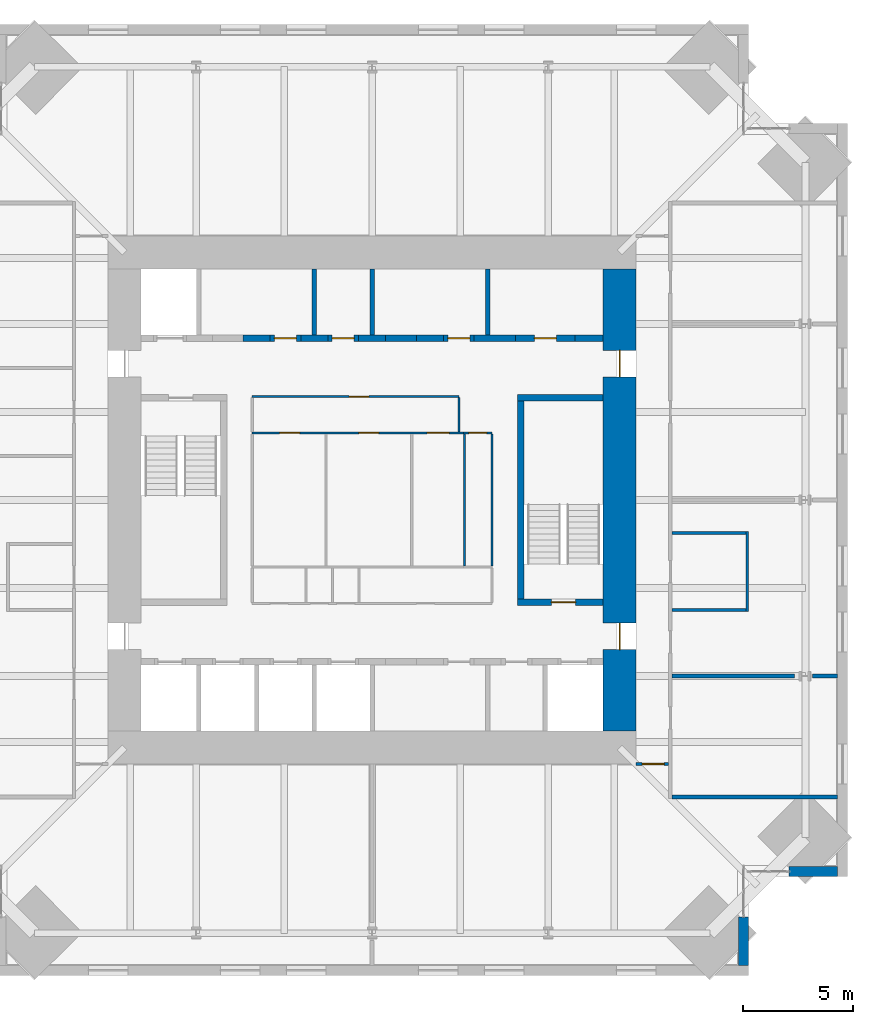
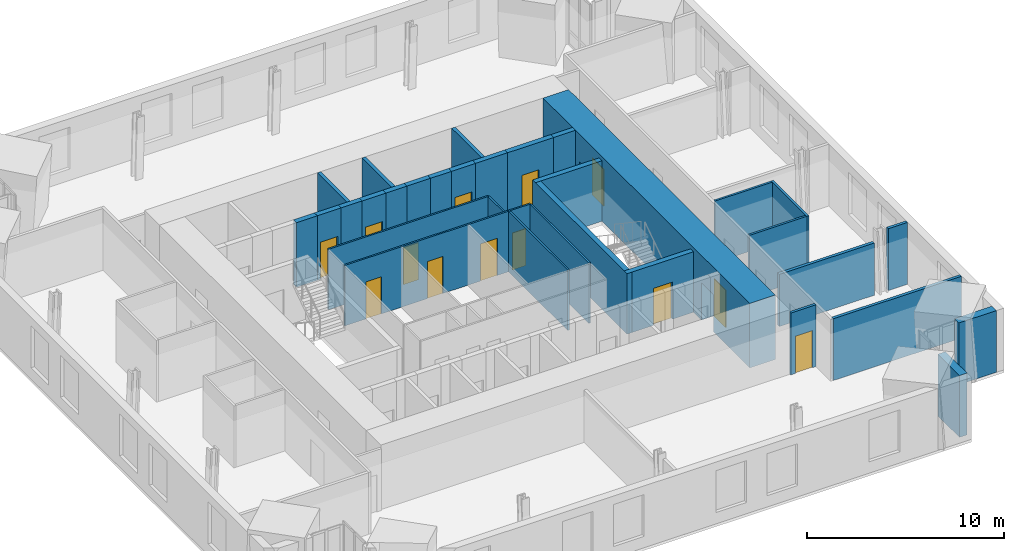
# One storey, part 13 of 16: 33 walls, 13 doors, 13 openings.
"""IFC4 building model written with IfcOpenShell, lengths in metres."""

from ifc_helpers import new_model, si_unit, direction, frame, frame_2d, origin, place, context, subcontext, project, spatial, rectangle, extrude, material, layer, layer_set, type_object, element, fill, save


model = new_model("IFC4")

# Units and contexts
model_context = context("Model", 3, precision=1e-05, world=origin(), true_north=direction((0.0, 1.0)))
body_context = subcontext(model_context, "Body", "Model", "MODEL_VIEW")
ifc_project = project(units=[si_unit("LENGTHUNIT", "METRE"), si_unit("AREAUNIT", "SQUARE_METRE"), si_unit("VOLUMEUNIT", "CUBIC_METRE"), si_unit("PLANEANGLEUNIT", "RADIAN"), si_unit("MASSUNIT", "GRAM", prefix="KILO")], contexts=[model_context])

# Site, building, storey
site_placement = place(None, origin())
site = spatial("IfcSite", under=ifc_project, at=site_placement, CompositionType="ELEMENT")
building_placement = place(site_placement, origin())
building = spatial("IfcBuilding", under=site, at=building_placement, Name="Peilmerk Tower", CompositionType="ELEMENT")
storey_placement = place(building_placement, frame((0.0, 0.0, 277.800048828125)))
storey = spatial("IfcBuildingStorey", under=building, at=storey_placement, Name="L62", CompositionType="ELEMENT", Elevation=277.800048828125)

# Walls
ifc_material_1 = material(Name="Precast concrete C45/55, board-marked finish", Category="concrete")
ifc_layer_1 = layer(ifc_material_1, 0.449951171875)
ifc_layer_set_1 = layer_set([ifc_layer_1], Name="Precast concrete C45/55, board-marked finish")
wall_type_1 = type_object("IfcWallType", Name="EW1 450 precast concrete facade wall, board-marked", PredefinedType="SOLIDWALL", material=ifc_layer_set_1)
for number, where, z_axis, x_axis, name in (
    (1, (16.875, -18.95361328125, 0.0), (0.0, 0.0, 1.0), (0.0, -1.0, 0.0), "Facade wall SEA L62"),
    (2, (18.95361328125, -16.875, 0.0), (0.0, 0.0, 1.0), (1.0, 0.0, 0.0), "Facade wall SEB L62"),
):
    element("IfcWall", number, at=place(storey_placement, frame(where, z_axis=z_axis, x_axis=x_axis)), inside=storey, type_object=wall_type_1, Name=name, PredefinedType="SOLIDWALL", context=body_context, shape_type="SweptSolid", body=[
        extrude(rectangle(XDim=2.1962890625, YDim=0.449951171875, at=frame_2d((1.09814453125, 0.0))), origin(), (0.0, 0.0, 1.0), 3.829833984375),
    ])

# Wall, opening, door
ifc_material_2 = material(Name="Calcium silicate block", Category="masonry")
ifc_layer_2 = layer(ifc_material_2, 0.14990234375)
ifc_layer_set_2 = layer_set([ifc_layer_2], Name="Calcium silicate block")
wall_type_2 = type_object("IfcWallType", Name="IW1 150 corridor partition, EI 60", PredefinedType="PARTITIONING", material=ifc_layer_set_2)
wall_1_placement = place(storey_placement, frame((13.47509765625, -12.0, 0.0), z_axis=(0.0, 0.0, 1.0), x_axis=(-1.0, 0.0, 0.0)))
wall_1 = element("IfcWall", 3, at=wall_1_placement, inside=storey, type_object=wall_type_2, Name="Corridor wall SE L62", PredefinedType="PARTITIONING", context=body_context, shape_type="SweptSolid", body=[
    extrude(rectangle(XDim=1.47509765625, YDim=0.14990234375, at=frame_2d((0.737548828125, 0.0))), origin(), (0.0, 0.0, 1.0), 3.829833984375),
])
opening_1_placement = place(wall_1_placement, frame((0.199951171875, 0.0, 0.0)))
opening_1 = element("IfcOpeningElement", 4, at=opening_1_placement, cuts=wall_1, Name="Opening D1", PredefinedType="OPENING", context=body_context, shape_type="SweptSolid", body=[
    extrude(rectangle(XDim=1.0, YDim=2.300048828125, at=frame_2d((0.5, 1.14990234375))), frame((0.0, 0.0849609375, 0.0), z_axis=(0.0, -1.0, 0.0), x_axis=(1.0, 0.0, 0.0)), (0.0, 0.0, 1.0), 0.169921875),
])
ifc_material_3 = material(Name="Timber door in steel frame", Category="steel")
door_type_1 = type_object("IfcDoorType", Name="D1 1000x2300 room door, EI2 30", OperationType="SINGLE_SWING_LEFT", PredefinedType="DOOR", material=ifc_material_3)
door_1_placement = place(opening_1_placement, origin())
door_1 = element("IfcDoor", 5, at=door_1_placement, inside=storey, type_object=door_type_1, Name="Door Client suite L62", OperationType="SINGLE_SWING_LEFT", OverallHeight=2.300048828125, OverallWidth=1.0, PredefinedType="DOOR", context=body_context, shape_type="SweptSolid", body=[
    extrude(rectangle(XDim=1.0, YDim=2.300048828125, at=frame_2d((0.5, 1.14990234375))), frame((0.0, 0.02490234375, 0.0), z_axis=(0.0, -1.0, 0.0), x_axis=(1.0, 0.0, 0.0)), (0.0, 0.0, 1.0), 0.050048828125),
])
fill(opening_1, door_1)

# Walls
ifc_material_4 = material(Name="Concrete C35/45", Category="concrete")
ifc_layer_3 = layer(ifc_material_4, 0.300048828125)
ifc_layer_set_3 = layer_set([ifc_layer_3], Name="Concrete C35/45")
wall_type_3 = type_object("IfcWallType", Name="IW3 300 concrete stair enclosure wall, EI 120", PredefinedType="SOLIDWALL", material=ifc_layer_set_3)
wall_2_placement = place(storey_placement, frame((6.75, -4.800048828125, 0.0), z_axis=(0.0, 0.0, 1.0), x_axis=(0.0, 1.0, 0.0)))
element("IfcWall", 6, at=wall_2_placement, inside=storey, type_object=wall_type_3, Name="Stair 2 enclosure L62", PredefinedType="SOLIDWALL", context=body_context, shape_type="SweptSolid", body=[
    extrude(rectangle(XDim=9.60009765625, YDim=0.300048828125, at=frame_2d((4.800048828125, 0.0))), origin(), (0.0, 0.0, 1.0), 3.75),
])
wall_3_placement = place(storey_placement, frame((6.60009765625, 4.64990234375, 0.0), z_axis=(0.0, 0.0, 1.0), x_axis=(1.0, 0.0, 0.0)))
element("IfcWall", 7, at=wall_3_placement, inside=storey, type_object=wall_type_3, Name="Stair 2 enclosure L62", PredefinedType="SOLIDWALL", context=body_context, shape_type="SweptSolid", body=[
    extrude(rectangle(XDim=3.89990234375, YDim=0.300048828125, at=frame_2d((1.949951171875, 0.0))), origin(), (0.0, 0.0, 1.0), 3.75),
])

# Wall, opening, door
wall_4_placement = place(storey_placement, frame((10.5, -4.64990234375, 0.0), z_axis=(0.0, 0.0, 1.0), x_axis=(-1.0, 0.0, 0.0)))
wall_4 = element("IfcWall", 8, at=wall_4_placement, inside=storey, type_object=wall_type_3, Name="Stair 2 enclosure L62", PredefinedType="SOLIDWALL", context=body_context, shape_type="SweptSolid", body=[
    extrude(rectangle(XDim=3.89990234375, YDim=0.300048828125, at=frame_2d((1.949951171875, 0.0))), origin(), (0.0, 0.0, 1.0), 3.75),
])
opening_2_placement = place(wall_4_placement, frame((1.25, 0.0, 0.0)))
opening_2 = element("IfcOpeningElement", 9, at=opening_2_placement, cuts=wall_4, Name="Opening D4", PredefinedType="OPENING", context=body_context, shape_type="SweptSolid", body=[
    extrude(rectangle(XDim=1.10009765625, YDim=2.300048828125, at=frame_2d((0.550048828125, 1.14990234375))), frame((0.0, 0.159912109375, 0.0), z_axis=(0.0, -1.0, 0.0), x_axis=(1.0, 0.0, 0.0)), (0.0, 0.0, 1.0), 0.320068359375),
])
ifc_material_5 = material(Name="Steel door in steel frame", Category="steel")
door_type_2 = type_object("IfcDoorType", Name="D4 1100x2300 stair door, EI2 60", OperationType="SINGLE_SWING_RIGHT", PredefinedType="DOOR", material=ifc_material_5)
door_2_placement = place(opening_2_placement, frame((1.10009765625, 0.0, 0.0), z_axis=(0.0, 0.0, 1.0), x_axis=(-1.0, 0.0, 0.0)))
door_2 = element("IfcDoor", 10, at=door_2_placement, inside=storey, type_object=door_type_2, Name="Stair 2 door L62", OperationType="SINGLE_SWING_RIGHT", OverallHeight=2.300048828125, OverallWidth=1.10009765625, PredefinedType="DOOR", context=body_context, shape_type="SweptSolid", body=[
    extrude(rectangle(XDim=1.10009765625, YDim=2.300048828125, at=frame_2d((0.550048828125, 1.14990234375))), frame((0.0, 0.02490234375, 0.0), z_axis=(0.0, -1.0, 0.0), x_axis=(1.0, 0.0, 0.0)), (0.0, 0.0, 1.0), 0.050048828125),
])
fill(opening_2, door_2)

# Wall, openings, doors
ifc_material_6 = material(Name="Plasterboard on steel studs", Category="steel")
ifc_layer_4 = layer(ifc_material_6, 0.10009765625)
ifc_layer_set_4 = layer_set([ifc_layer_4], Name="Plasterboard on steel studs")
wall_type_4 = type_object("IfcWallType", Name="IW4 100 WC partition", PredefinedType="PARTITIONING", material=ifc_layer_set_4)
wall_5_placement = place(storey_placement, frame((-5.449951171875, 3.050048828125, 0.0), z_axis=(0.0, 0.0, 1.0), x_axis=(1.0, 0.0, 0.0)))
wall_5 = element("IfcWall", 11, at=wall_5_placement, inside=storey, type_object=wall_type_4, Name="WC wall L62", PredefinedType="PARTITIONING", context=body_context, shape_type="SweptSolid", body=[
    extrude(rectangle(XDim=9.599853515625, YDim=0.10009765625, at=frame_2d((4.7998046875, 0.0))), origin(), (0.0, 0.0, 1.0), 3.75),
])
opening_3_placement = place(wall_5_placement, frame((1.25, 0.0, 0.0)))
opening_3 = element("IfcOpeningElement", 12, at=opening_3_placement, cuts=wall_5, Name="Opening D5", PredefinedType="OPENING", context=body_context, shape_type="SweptSolid", body=[
    extrude(rectangle(XDim=0.89990234375, YDim=2.300048828125, at=frame_2d((0.449951171875, 1.14990234375))), frame((0.0, 0.06005859375, 0.0), z_axis=(0.0, -1.0, 0.0), x_axis=(1.0, 0.0, 0.0)), (0.0, 0.0, 1.0), 0.1201171875),
])
opening_4_placement = place(wall_5_placement, frame((4.85009765625, 0.0, 0.0)))
opening_4 = element("IfcOpeningElement", 13, at=opening_4_placement, cuts=wall_5, Name="Opening D5", PredefinedType="OPENING", context=body_context, shape_type="SweptSolid", body=[
    extrude(rectangle(XDim=0.89990234375, YDim=2.300048828125, at=frame_2d((0.449951171875, 1.14990234375))), frame((0.0, 0.06005859375, 0.0), z_axis=(0.0, -1.0, 0.0), x_axis=(1.0, 0.0, 0.0)), (0.0, 0.0, 1.0), 0.1201171875),
])
opening_5_placement = place(wall_5_placement, frame((7.949951171875, 0.0, 0.0)))
opening_5 = element("IfcOpeningElement", 14, at=opening_5_placement, cuts=wall_5, Name="Opening D6", PredefinedType="OPENING", context=body_context, shape_type="SweptSolid", body=[
    extrude(rectangle(XDim=1.0, YDim=2.300048828125, at=frame_2d((0.5, 1.14990234375))), frame((0.0, 0.06005859375, 0.0), z_axis=(0.0, -1.0, 0.0), x_axis=(1.0, 0.0, 0.0)), (0.0, 0.0, 1.0), 0.1201171875),
])
door_type_3 = type_object("IfcDoorType", Name="D5 900x2300 WC door", OperationType="SINGLE_SWING_LEFT", PredefinedType="DOOR", material=ifc_material_3)
door_3_placement = place(opening_3_placement, frame((0.89990234375, 0.0, 0.0), z_axis=(0.0, 0.0, 1.0), x_axis=(-1.0, 0.0, 0.0)))
door_3 = element("IfcDoor", 15, at=door_3_placement, inside=storey, type_object=door_type_3, Name="Female toilets door L62", OperationType="SINGLE_SWING_LEFT", OverallHeight=2.300048828125, OverallWidth=0.89990234375, PredefinedType="DOOR", context=body_context, shape_type="SweptSolid", body=[
    extrude(rectangle(XDim=0.89990234375, YDim=2.300048828125, at=frame_2d((0.449951171875, 1.14990234375))), frame((0.0, 0.02490234375, 0.0), z_axis=(0.0, -1.0, 0.0), x_axis=(1.0, 0.0, 0.0)), (0.0, 0.0, 1.0), 0.050048828125),
])
fill(opening_3, door_3)
door_4_placement = place(opening_4_placement, frame((0.89990234375, 0.0, 0.0), z_axis=(0.0, 0.0, 1.0), x_axis=(-1.0, 0.0, 0.0)))
door_4 = element("IfcDoor", 16, at=door_4_placement, inside=storey, type_object=door_type_3, Name="Male toilets door L62", OperationType="SINGLE_SWING_LEFT", OverallHeight=2.300048828125, OverallWidth=0.89990234375, PredefinedType="DOOR", context=body_context, shape_type="SweptSolid", body=[
    extrude(rectangle(XDim=0.89990234375, YDim=2.300048828125, at=frame_2d((0.449951171875, 1.14990234375))), frame((0.0, 0.02490234375, 0.0), z_axis=(0.0, -1.0, 0.0), x_axis=(1.0, 0.0, 0.0)), (0.0, 0.0, 1.0), 0.050048828125),
])
fill(opening_4, door_4)
door_type_4 = type_object("IfcDoorType", Name="D6 1000x2300 accessible WC door", OperationType="SLIDING_TO_LEFT", PredefinedType="DOOR", material=ifc_material_3)
door_5_placement = place(opening_5_placement, frame((1.0, 0.0, 0.0), z_axis=(0.0, 0.0, 1.0), x_axis=(-1.0, 0.0, 0.0)))
door_5 = element("IfcDoor", 17, at=door_5_placement, inside=storey, type_object=door_type_4, Name="Accessible WC door L62", OperationType="SLIDING_TO_LEFT", OverallHeight=2.300048828125, OverallWidth=1.0, PredefinedType="DOOR", context=body_context, shape_type="SweptSolid", body=[
    extrude(rectangle(XDim=1.0, YDim=2.300048828125, at=frame_2d((0.5, 1.14990234375))), frame((0.0, 0.02490234375, 0.0), z_axis=(0.0, -1.0, 0.0), x_axis=(1.0, 0.0, 0.0)), (0.0, 0.0, 1.0), 0.050048828125),
])
fill(opening_5, door_5)

# Wall, opening, door
ifc_material_7 = material(Name="Calcium silicate board on steel studs", Category="steel")
ifc_layer_5 = layer(ifc_material_7, 0.10009765625)
ifc_layer_set_5 = layer_set([ifc_layer_5], Name="Calcium silicate board on steel studs")
wall_type_5 = type_object("IfcWallType", Name="IW5 100 riser enclosure wall, EI 60", PredefinedType="PARTITIONING", material=ifc_layer_set_5)
wall_6_placement = place(storey_placement, frame((4.14990234375, 3.050048828125, 0.0), z_axis=(0.0, 0.0, 1.0), x_axis=(1.0, 0.0, 0.0)))
wall_6 = element("IfcWall", 18, at=wall_6_placement, inside=storey, type_object=wall_type_5, Name="Riser wall L62", PredefinedType="PARTITIONING", context=body_context, shape_type="SweptSolid", body=[
    extrude(rectangle(XDim=1.300048828125, YDim=0.10009765625, at=frame_2d((0.64990234375, 0.0))), origin(), (0.0, 0.0, 1.0), 3.75),
])
opening_6_placement = place(wall_6_placement, frame((0.25, 0.0, 0.0)))
opening_6 = element("IfcOpeningElement", 19, at=opening_6_placement, cuts=wall_6, Name="Opening D7", PredefinedType="OPENING", context=body_context, shape_type="SweptSolid", body=[
    extrude(rectangle(XDim=0.800048828125, YDim=2.300048828125, at=frame_2d((0.39990234375, 1.14990234375))), frame((0.0, 0.06005859375, 0.0), z_axis=(0.0, -1.0, 0.0), x_axis=(1.0, 0.0, 0.0)), (0.0, 0.0, 1.0), 0.1201171875),
])
door_type_5 = type_object("IfcDoorType", Name="D7 800x2300 riser access door, EI2 60", OperationType="SINGLE_SWING_RIGHT", PredefinedType="DOOR", material=ifc_material_5)
door_6_placement = place(opening_6_placement, frame((0.800048828125, 0.0, 0.0), z_axis=(0.0, 0.0, 1.0), x_axis=(-1.0, 0.0, 0.0)))
door_6 = element("IfcDoor", 20, at=door_6_placement, inside=storey, type_object=door_type_5, Name="Plumbing riser door L62", OperationType="SINGLE_SWING_RIGHT", OverallHeight=2.300048828125, OverallWidth=0.800048828125, PredefinedType="DOOR", context=body_context, shape_type="SweptSolid", body=[
    extrude(rectangle(XDim=0.800048828125, YDim=2.300048828125, at=frame_2d((0.39990234375, 1.14990234375))), frame((0.0, 0.02490234375, 0.0), z_axis=(0.0, -1.0, 0.0), x_axis=(1.0, 0.0, 0.0)), (0.0, 0.0, 1.0), 0.050048828125),
])
fill(opening_6, door_6)

# Walls
for number, where, z_axis, x_axis, name in (
    (21, (5.449951171875, 3.0, 0.0), (0.0, 0.0, 1.0), (0.0, -1.0, 0.0), "Riser wall L62"),
    (22, (4.199951171875, -3.0, 0.0), (0.0, 0.0, 1.0), (0.0, 1.0, 0.0), "Riser wall L62"),
):
    element("IfcWall", number, at=place(storey_placement, frame(where, z_axis=z_axis, x_axis=x_axis)), inside=storey, type_object=wall_type_5, Name=name, PredefinedType="PARTITIONING", context=body_context, shape_type="SweptSolid", body=[
        extrude(rectangle(XDim=6.0, YDim=0.10009765625, at=frame_2d((3.0, 0.0))), origin(), (0.0, 0.0, 1.0), 3.75),
    ])
ifc_material_8 = material(Name="Plasterboard on steel studs, double boarded with mineral wool", Category="steel")
ifc_layer_6 = layer(ifc_material_8, 0.125)
ifc_layer_set_6 = layer_set([ifc_layer_6], Name="Plasterboard on steel studs, double boarded with mineral wool")
wall_type_6 = type_object("IfcWallType", Name="IW7 125 acoustic partition, EI 30", PredefinedType="PARTITIONING", material=ifc_layer_set_6)
wall_7_placement = place(storey_placement, frame((17.050048828125, -5.0625, 0.0), z_axis=(0.0, 0.0, 1.0), x_axis=(0.0, 1.0, 0.0)))
element("IfcWall", 23, at=wall_7_placement, inside=storey, type_object=wall_type_6, Name="Acoustic partition Pantry L62", PredefinedType="PARTITIONING", context=body_context, shape_type="SweptSolid", body=[
    extrude(rectangle(XDim=3.625, YDim=0.125, at=frame_2d((1.8125, 0.0))), origin(), (0.0, 0.0, 1.0), 3.829833984375),
])
for number, where, z_axis, x_axis, name in (
    (24, (13.625, -5.0, 0.0), (0.0, 0.0, 1.0), (1.0, 0.0, 0.0), "Acoustic partition Pantry L62"),
    (25, (13.625, -1.5, 0.0), (0.0, 0.0, 1.0), (1.0, 0.0, 0.0), "Acoustic partition Pantry L62"),
):
    element("IfcWall", number, at=place(storey_placement, frame(where, z_axis=z_axis, x_axis=x_axis)), inside=storey, type_object=wall_type_6, Name=name, PredefinedType="PARTITIONING", context=body_context, shape_type="SweptSolid", body=[
        extrude(rectangle(XDim=3.362548828125, YDim=0.125, at=frame_2d((1.68115234375, 0.0))), origin(), (0.0, 0.0, 1.0), 3.829833984375),
    ])
ifc_layer_7 = layer(ifc_material_2, 0.175048828125)
ifc_layer_set_7 = layer_set([ifc_layer_7], Name="Calcium silicate block")
wall_type_7 = type_object("IfcWallType", Name="IW8 175 tenant separating wall, EI 60", PredefinedType="PARTITIONING", material=ifc_layer_set_7)
wall_8_placement = place(storey_placement, frame((21.14990234375, -13.5, 0.0), z_axis=(0.0, 0.0, 1.0), x_axis=(-1.0, 0.0, 0.0)))
element("IfcWall", 26, at=wall_8_placement, inside=storey, type_object=wall_type_7, Name="Tenant separating wall SE L62", PredefinedType="PARTITIONING", context=body_context, shape_type="SweptSolid", body=[
    extrude(rectangle(XDim=7.52490234375, YDim=0.175048828125, at=frame_2d((3.762451171875, 0.0))), origin(), (0.0, 0.0, 1.0), 3.829833984375),
])
wall_9_placement = place(storey_placement, frame((13.625, -8.0, 0.0), z_axis=(0.0, 0.0, 1.0), x_axis=(1.0, 0.0, 0.0)))
element("IfcWall", 27, at=wall_9_placement, inside=storey, type_object=wall_type_7, Name="Tenant separating wall E1 L62", PredefinedType="PARTITIONING", context=body_context, shape_type="SweptSolid", body=[
    extrude(rectangle(XDim=5.579345703125, YDim=0.175048828125, at=frame_2d((2.78955078125, 0.0))), origin(), (0.0, 0.0, 1.0), 3.239990234375),
])
wall_10_placement = place(storey_placement, frame((20.02490234375, -8.0, 0.0), z_axis=(0.0, 0.0, 1.0), x_axis=(1.0, 0.0, 0.0)))
element("IfcWall", 28, at=wall_10_placement, inside=storey, type_object=wall_type_7, Name="Tenant separating wall E1b L62", PredefinedType="PARTITIONING", context=body_context, shape_type="SweptSolid", body=[
    extrude(rectangle(XDim=1.125, YDim=0.175048828125, at=frame_2d((0.5625, 0.0))), origin(), (0.0, 0.0, 1.0), 3.829833984375),
])

# Wall, opening, door
ifc_material_9 = material(Name="Fire-resisting plasterboard on steel studs", Category="steel")
ifc_layer_8 = layer(ifc_material_9, 0.10009765625)
ifc_layer_set_8 = layer_set([ifc_layer_8], Name="Fire-resisting plasterboard on steel studs")
wall_type_8 = type_object("IfcWallType", Name="IW9 100 WC lobby wall, EI 30", PredefinedType="PARTITIONING", material=ifc_layer_set_8)
wall_11_placement = place(storey_placement, frame((-5.449951171875, 4.699951171875, 0.0), z_axis=(0.0, 0.0, 1.0), x_axis=(1.0, 0.0, 0.0)))
wall_11 = element("IfcWall", 29, at=wall_11_placement, inside=storey, type_object=wall_type_8, Name="WC lobby wall L62", PredefinedType="PARTITIONING", context=body_context, shape_type="SweptSolid", body=[
    extrude(rectangle(XDim=9.39990234375, YDim=0.10009765625, at=frame_2d((4.699951171875, 0.0))), origin(), (0.0, 0.0, 1.0), 3.75),
])
opening_7_placement = place(wall_11_placement, frame((4.39990234375, 0.0, 0.0)))
opening_7 = element("IfcOpeningElement", 30, at=opening_7_placement, cuts=wall_11, Name="Opening D11", PredefinedType="OPENING", context=body_context, shape_type="SweptSolid", body=[
    extrude(rectangle(XDim=0.89990234375, YDim=2.300048828125, at=frame_2d((0.449951171875, 1.14990234375))), frame((0.0, 0.06005859375, 0.0), z_axis=(0.0, -1.0, 0.0), x_axis=(1.0, 0.0, 0.0)), (0.0, 0.0, 1.0), 0.1201171875),
])
door_type_6 = type_object("IfcDoorType", Name="D11 900x2300 WC lobby door, EI2 30", OperationType="SINGLE_SWING_LEFT", PredefinedType="DOOR", material=ifc_material_3)
door_7_placement = place(opening_7_placement, frame((0.89990234375, 0.0, 0.0), z_axis=(0.0, 0.0, 1.0), x_axis=(-1.0, 0.0, 0.0)))
door_7 = element("IfcDoor", 31, at=door_7_placement, inside=storey, type_object=door_type_6, Name="WC lobby door L62", OperationType="SINGLE_SWING_LEFT", OverallHeight=2.300048828125, OverallWidth=0.89990234375, PredefinedType="DOOR", context=body_context, shape_type="SweptSolid", body=[
    extrude(rectangle(XDim=0.89990234375, YDim=2.300048828125, at=frame_2d((0.449951171875, 1.14990234375))), frame((0.0, 0.02490234375, 0.0), z_axis=(0.0, -1.0, 0.0), x_axis=(1.0, 0.0, 0.0)), (0.0, 0.0, 1.0), 0.050048828125),
])
fill(opening_7, door_7)

# Walls
wall_12_placement = place(storey_placement, frame((3.949951171875, 3.10009765625, 0.0), z_axis=(0.0, 0.0, 1.0), x_axis=(0.0, 1.0, 0.0)))
element("IfcWall", 32, at=wall_12_placement, inside=storey, type_object=wall_type_8, Name="WC lobby wall L62", PredefinedType="PARTITIONING", context=body_context, shape_type="SweptSolid", body=[
    extrude(rectangle(XDim=1.5498046875, YDim=0.10009765625, at=frame_2d((0.77490234375, 0.0))), origin(), (0.0, 0.0, 1.0), 3.75),
])
ifc_layer_9 = layer(ifc_material_2, 0.199951171875)
ifc_layer_set_9 = layer_set([ifc_layer_9], Name="Calcium silicate block")
wall_type_9 = type_object("IfcWallType", Name="SH1 200 shaft dividing wall, EI 120", PredefinedType="PARTITIONING", material=ifc_layer_set_9)
for number, where, z_axis, x_axis, name in (
    (33, (-2.625, 7.5, 0.0), (0.0, 0.0, 1.0), (0.0, 1.0, 0.0), "Shaft wall N A2 L62"),
    (34, (0.0, 7.5, 0.0), (0.0, 0.0, 1.0), (0.0, 1.0, 0.0), "Shaft wall N A3 L62"),
    (35, (5.25, 7.5, 0.0), (0.0, 0.0, 1.0), (0.0, 1.0, 0.0), "Shaft wall N S2 L62"),
):
    element("IfcWall", number, at=place(storey_placement, frame(where, z_axis=z_axis, x_axis=x_axis)), inside=storey, type_object=wall_type_9, Name=name, PredefinedType="PARTITIONING", context=body_context, shape_type="SweptSolid", body=[
        extrude(rectangle(XDim=3.0, YDim=0.199951171875, at=frame_2d((1.5, 0.0))), origin(), (0.0, 0.0, 1.0), 4.0),
    ])

# Wall, opening, door
ifc_layer_10 = layer(ifc_material_2, 0.300048828125)
ifc_layer_set_10 = layer_set([ifc_layer_10], Name="Calcium silicate block")
wall_type_10 = type_object("IfcWallType", Name="SH2 300 lift landing door panel, EI 120", PredefinedType="PARTITIONING", material=ifc_layer_set_10)
wall_13_placement = place(storey_placement, frame((-4.637451171875, 7.35009765625, 0.0), z_axis=(0.0, 0.0, 1.0), x_axis=(1.0, 0.0, 0.0)))
wall_13 = element("IfcWall", 36, at=wall_13_placement, inside=storey, type_object=wall_type_10, Name="Lift door panel N A2 L62", PredefinedType="PARTITIONING", context=body_context, shape_type="SweptSolid", body=[
    extrude(rectangle(XDim=1.39990234375, YDim=0.300048828125, at=frame_2d((0.699951171875, 0.0))), origin(), (0.0, 0.0, 1.0), 4.0),
])
opening_8_placement = place(wall_13_placement, frame((0.199951171875, 0.0, 0.0)))
opening_8 = element("IfcOpeningElement", 37, at=opening_8_placement, cuts=wall_13, Name="Opening D10", PredefinedType="OPENING", context=body_context, shape_type="SweptSolid", body=[
    extrude(rectangle(XDim=1.0, YDim=2.300048828125, at=frame_2d((0.5, 1.14990234375))), frame((0.0, 0.159912109375, 0.0), z_axis=(0.0, -1.0, 0.0), x_axis=(1.0, 0.0, 0.0)), (0.0, 0.0, 1.0), 0.320068359375),
])
door_type_7 = type_object("IfcDoorType", Name="D10 1000x2300 core room door, EI2 60", OperationType="SINGLE_SWING_RIGHT", PredefinedType="DOOR", material=ifc_material_5)
door_8_placement = place(opening_8_placement, origin())
door_8 = element("IfcDoor", 38, at=door_8_placement, inside=storey, type_object=door_type_7, Name="Door Staff room L62", OperationType="SINGLE_SWING_RIGHT", OverallHeight=2.300048828125, OverallWidth=1.0, PredefinedType="DOOR", context=body_context, shape_type="SweptSolid", body=[
    extrude(rectangle(XDim=1.0, YDim=2.300048828125, at=frame_2d((0.5, 1.14990234375))), frame((0.0, 0.02490234375, 0.0), z_axis=(0.0, -1.0, 0.0), x_axis=(1.0, 0.0, 0.0)), (0.0, 0.0, 1.0), 0.050048828125),
])
fill(opening_8, door_8)

wall_14_placement = place(storey_placement, frame((-2.012451171875, 7.35009765625, 0.0), z_axis=(0.0, 0.0, 1.0), x_axis=(1.0, 0.0, 0.0)))
wall_14 = element("IfcWall", 39, at=wall_14_placement, inside=storey, type_object=wall_type_10, Name="Lift door panel N A3 L62", PredefinedType="PARTITIONING", context=body_context, shape_type="SweptSolid", body=[
    extrude(rectangle(XDim=1.39990234375, YDim=0.300048828125, at=frame_2d((0.699951171875, 0.0))), origin(), (0.0, 0.0, 1.0), 4.0),
])
opening_9_placement = place(wall_14_placement, frame((0.199951171875, 0.0, 0.0)))
opening_9 = element("IfcOpeningElement", 40, at=opening_9_placement, cuts=wall_14, Name="Opening D10", PredefinedType="OPENING", context=body_context, shape_type="SweptSolid", body=[
    extrude(rectangle(XDim=1.0, YDim=2.300048828125, at=frame_2d((0.5, 1.14990234375))), frame((0.0, 0.159912109375, 0.0), z_axis=(0.0, -1.0, 0.0), x_axis=(1.0, 0.0, 0.0)), (0.0, 0.0, 1.0), 0.320068359375),
])
door_9_placement = place(opening_9_placement, origin())
door_9 = element("IfcDoor", 41, at=door_9_placement, inside=storey, type_object=door_type_7, Name="Door Staff WC L62", OperationType="SINGLE_SWING_RIGHT", OverallHeight=2.300048828125, OverallWidth=1.0, PredefinedType="DOOR", context=body_context, shape_type="SweptSolid", body=[
    extrude(rectangle(XDim=1.0, YDim=2.300048828125, at=frame_2d((0.5, 1.14990234375))), frame((0.0, 0.02490234375, 0.0), z_axis=(0.0, -1.0, 0.0), x_axis=(1.0, 0.0, 0.0)), (0.0, 0.0, 1.0), 0.050048828125),
])
fill(opening_9, door_9)

# Wall
wall_15_placement = place(storey_placement, frame((0.612548828125, 7.35009765625, 0.0), z_axis=(0.0, 0.0, 1.0), x_axis=(1.0, 0.0, 0.0)))
element("IfcWall", 42, at=wall_15_placement, inside=storey, type_object=wall_type_10, Name="Lift door panel N S1 L62", PredefinedType="PARTITIONING", context=body_context, shape_type="SweptSolid", body=[
    extrude(rectangle(XDim=1.39990234375, YDim=0.300048828125, at=frame_2d((0.699951171875, 0.0))), origin(), (0.0, 0.0, 1.0), 4.0),
])

# Wall, opening, door
wall_16_placement = place(storey_placement, frame((3.237548828125, 7.35009765625, 0.0), z_axis=(0.0, 0.0, 1.0), x_axis=(1.0, 0.0, 0.0)))
wall_16 = element("IfcWall", 43, at=wall_16_placement, inside=storey, type_object=wall_type_10, Name="Lift door panel N S2 L62", PredefinedType="PARTITIONING", context=body_context, shape_type="SweptSolid", body=[
    extrude(rectangle(XDim=1.39990234375, YDim=0.300048828125, at=frame_2d((0.699951171875, 0.0))), origin(), (0.0, 0.0, 1.0), 4.0),
])
opening_10_placement = place(wall_16_placement, frame((0.199951171875, 0.0, 0.0)))
opening_10 = element("IfcOpeningElement", 44, at=opening_10_placement, cuts=wall_16, Name="Opening D10", PredefinedType="OPENING", context=body_context, shape_type="SweptSolid", body=[
    extrude(rectangle(XDim=1.0, YDim=2.300048828125, at=frame_2d((0.5, 1.14990234375))), frame((0.0, 0.159912109375, 0.0), z_axis=(0.0, -1.0, 0.0), x_axis=(1.0, 0.0, 0.0)), (0.0, 0.0, 1.0), 0.320068359375),
])
door_10_placement = place(opening_10_placement, origin())
door_10 = element("IfcDoor", 45, at=door_10_placement, inside=storey, type_object=door_type_7, Name="Door First aid room L62", OperationType="SINGLE_SWING_RIGHT", OverallHeight=2.300048828125, OverallWidth=1.0, PredefinedType="DOOR", context=body_context, shape_type="SweptSolid", body=[
    extrude(rectangle(XDim=1.0, YDim=2.300048828125, at=frame_2d((0.5, 1.14990234375))), frame((0.0, 0.02490234375, 0.0), z_axis=(0.0, -1.0, 0.0), x_axis=(1.0, 0.0, 0.0)), (0.0, 0.0, 1.0), 0.050048828125),
])
fill(opening_10, door_10)

wall_17_placement = place(storey_placement, frame((6.52490234375, 7.35009765625, 0.0), z_axis=(0.0, 0.0, 1.0), x_axis=(1.0, 0.0, 0.0)))
wall_17 = element("IfcWall", 46, at=wall_17_placement, inside=storey, type_object=wall_type_10, Name="Lift door panel N GL1 L62", PredefinedType="PARTITIONING", context=body_context, shape_type="SweptSolid", body=[
    extrude(rectangle(XDim=2.7001953125, YDim=0.300048828125, at=frame_2d((1.35009765625, 0.0))), origin(), (0.0, 0.0, 1.0), 4.0),
])
opening_11_placement = place(wall_17_placement, frame((0.85009765625, 0.0, 0.0)))
opening_11 = element("IfcOpeningElement", 47, at=opening_11_placement, cuts=wall_17, Name="Opening D10", PredefinedType="OPENING", context=body_context, shape_type="SweptSolid", body=[
    extrude(rectangle(XDim=1.0, YDim=2.300048828125, at=frame_2d((0.5, 1.14990234375))), frame((0.0, 0.159912109375, 0.0), z_axis=(0.0, -1.0, 0.0), x_axis=(1.0, 0.0, 0.0)), (0.0, 0.0, 1.0), 0.320068359375),
])
door_11_placement = place(opening_11_placement, origin())
door_11 = element("IfcDoor", 48, at=door_11_placement, inside=storey, type_object=door_type_7, Name="Door Water meter room L62", OperationType="SINGLE_SWING_RIGHT", OverallHeight=2.300048828125, OverallWidth=1.0, PredefinedType="DOOR", context=body_context, shape_type="SweptSolid", body=[
    extrude(rectangle(XDim=1.0, YDim=2.300048828125, at=frame_2d((0.5, 1.14990234375))), frame((0.0, 0.02490234375, 0.0), z_axis=(0.0, -1.0, 0.0), x_axis=(1.0, 0.0, 0.0)), (0.0, 0.0, 1.0), 0.050048828125),
])
fill(opening_11, door_11)

# Wall, openings, doors
ifc_material_10 = material(Name="Concrete C55/67", Category="concrete")
ifc_layer_11 = layer(ifc_material_10, 1.5)
ifc_layer_set_11 = layer_set([ifc_layer_11], Name="Concrete C55/67")
wall_type_11 = type_object("IfcWallType", Name="SW1 1500 core wall", PredefinedType="SHEAR", material=ifc_layer_set_11)
wall_18_placement = place(storey_placement, frame((11.25, 10.5, 0.0), z_axis=(0.0, 0.0, 1.0), x_axis=(0.0, -1.0, 0.0)))
wall_18 = element("IfcWall", 49, at=wall_18_placement, inside=storey, type_object=wall_type_11, Name="Core wall E L62", PredefinedType="SHEAR", context=body_context, shape_type="SweptSolid", body=[
    extrude(rectangle(XDim=21.0, YDim=1.5, at=frame_2d((10.5, 0.0))), origin(), (0.0, 0.0, 1.0), 4.0),
])
opening_12_placement = place(wall_18_placement, frame((3.699951171875, 0.0, 0.0)))
opening_12 = element("IfcOpeningElement", 50, at=opening_12_placement, cuts=wall_18, Name="Opening D3", PredefinedType="OPENING", context=body_context, shape_type="SweptSolid", body=[
    extrude(rectangle(XDim=1.199951171875, YDim=2.300048828125, at=frame_2d((0.60009765625, 1.14990234375))), frame((0.0, 0.760009765625, 0.0), z_axis=(0.0, -1.0, 0.0), x_axis=(1.0, 0.0, 0.0)), (0.0, 0.0, 1.0), 1.52001953125),
])
opening_13_placement = place(wall_18_placement, frame((16.10009765625, 0.0, 0.0)))
opening_13 = element("IfcOpeningElement", 51, at=opening_13_placement, cuts=wall_18, Name="Opening D3", PredefinedType="OPENING", context=body_context, shape_type="SweptSolid", body=[
    extrude(rectangle(XDim=1.199951171875, YDim=2.300048828125, at=frame_2d((0.60009765625, 1.14990234375))), frame((0.0, 0.760009765625, 0.0), z_axis=(0.0, -1.0, 0.0), x_axis=(1.0, 0.0, 0.0)), (0.0, 0.0, 1.0), 1.52001953125),
])
door_type_8 = type_object("IfcDoorType", Name="D3 1200x2300 core door, EI2 60", OperationType="SINGLE_SWING_LEFT", PredefinedType="DOOR", material=ifc_material_5)
door_12_placement = place(opening_12_placement, frame((1.199951171875, 0.0, 0.0), z_axis=(0.0, 0.0, 1.0), x_axis=(-1.0, 0.0, 0.0)))
door_12 = element("IfcDoor", 52, at=door_12_placement, inside=storey, type_object=door_type_8, Name="Core door L62", OperationType="SINGLE_SWING_LEFT", OverallHeight=2.300048828125, OverallWidth=1.199951171875, PredefinedType="DOOR", context=body_context, shape_type="SweptSolid", body=[
    extrude(rectangle(XDim=1.199951171875, YDim=2.300048828125, at=frame_2d((0.60009765625, 1.14990234375))), frame((0.0, 0.02490234375, 0.0), z_axis=(0.0, -1.0, 0.0), x_axis=(1.0, 0.0, 0.0)), (0.0, 0.0, 1.0), 0.050048828125),
])
fill(opening_12, door_12)
door_13_placement = place(opening_13_placement, frame((1.199951171875, 0.0, 0.0), z_axis=(0.0, 0.0, 1.0), x_axis=(-1.0, 0.0, 0.0)))
door_13 = element("IfcDoor", 53, at=door_13_placement, inside=storey, type_object=door_type_8, Name="Core door L62", OperationType="SINGLE_SWING_LEFT", OverallHeight=2.300048828125, OverallWidth=1.199951171875, PredefinedType="DOOR", context=body_context, shape_type="SweptSolid", body=[
    extrude(rectangle(XDim=1.199951171875, YDim=2.300048828125, at=frame_2d((0.60009765625, 1.14990234375))), frame((0.0, 0.02490234375, 0.0), z_axis=(0.0, -1.0, 0.0), x_axis=(1.0, 0.0, 0.0)), (0.0, 0.0, 1.0), 0.050048828125),
])
fill(opening_13, door_13)

# Walls
ifc_layer_12 = layer(ifc_material_10, 0.300048828125)
ifc_layer_set_12 = layer_set([ifc_layer_12], Name="Concrete C55/67")
wall_type_12 = type_object("IfcWallType", Name="SW2 300 lift bank pier", PredefinedType="SHEAR", material=ifc_layer_set_12)
for number, where, z_axis, x_axis, name in (
    (54, (-5.862548828125, 7.35009765625, 0.0), (0.0, 0.0, 1.0), (1.0, 0.0, 0.0), "Lift bank pier N L62"),
    (55, (-3.237548828125, 7.35009765625, 0.0), (0.0, 0.0, 1.0), (1.0, 0.0, 0.0), "Lift bank pier N L62"),
    (56, (-0.612548828125, 7.35009765625, 0.0), (0.0, 0.0, 1.0), (1.0, 0.0, 0.0), "Lift bank pier N L62"),
    (57, (2.012451171875, 7.35009765625, 0.0), (0.0, 0.0, 1.0), (1.0, 0.0, 0.0), "Lift bank pier N L62"),
):
    element("IfcWall", number, at=place(storey_placement, frame(where, z_axis=z_axis, x_axis=x_axis)), inside=storey, type_object=wall_type_12, Name=name, PredefinedType="SHEAR", context=body_context, shape_type="SweptSolid", body=[
        extrude(rectangle(XDim=1.22509765625, YDim=0.300048828125, at=frame_2d((0.612548828125, 0.0))), origin(), (0.0, 0.0, 1.0), 4.0),
    ])
wall_19_placement = place(storey_placement, frame((4.637451171875, 7.35009765625, 0.0), z_axis=(0.0, 0.0, 1.0), x_axis=(1.0, 0.0, 0.0)))
element("IfcWall", 58, at=wall_19_placement, inside=storey, type_object=wall_type_12, Name="Lift bank pier N L62", PredefinedType="SHEAR", context=body_context, shape_type="SweptSolid", body=[
    extrude(rectangle(XDim=1.887451171875, YDim=0.300048828125, at=frame_2d((0.94384765625, 0.0))), origin(), (0.0, 0.0, 1.0), 4.0),
])
wall_20_placement = place(storey_placement, frame((9.22509765625, 7.35009765625, 0.0), z_axis=(0.0, 0.0, 1.0), x_axis=(1.0, 0.0, 0.0)))
element("IfcWall", 59, at=wall_20_placement, inside=storey, type_object=wall_type_12, Name="Lift bank pier N L62", PredefinedType="SHEAR", context=body_context, shape_type="SweptSolid", body=[
    extrude(rectangle(XDim=1.27490234375, YDim=0.300048828125, at=frame_2d((0.637451171875, 0.0))), origin(), (0.0, 0.0, 1.0), 4.0),
])

save(model, "model.ifc")
